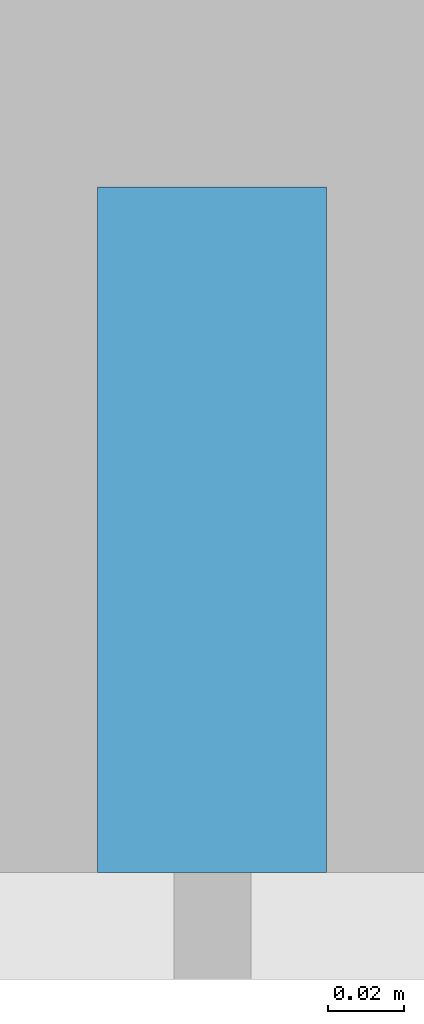
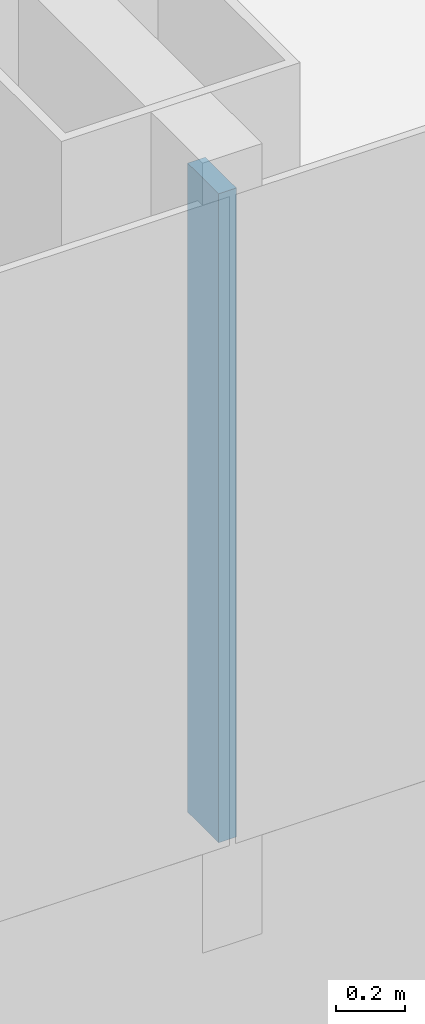
# One storey, part 6 of 29: 1 member, 1 element without a shape of its own.
"""IFC4 building model written with IfcOpenShell, lengths in metres."""

from ifc_helpers import new_model, si_unit, direction, frame, origin, origin_2d, place, context, subcontext, project, spatial, rectangle, extrude, material, layer, layer_set, material_profile, profile_set, type_object, element, aggregate, save


model = new_model("IFC4")

# Units and contexts
model_context = context("Model", 3, precision=1e-05, world=origin(), true_north=direction((0.0, 1.0)))
body_context = subcontext(model_context, "Body", "Model", "MODEL_VIEW")
ifc_project = project(units=[si_unit("LENGTHUNIT", "METRE"), si_unit("AREAUNIT", "SQUARE_METRE"), si_unit("VOLUMEUNIT", "CUBIC_METRE"), si_unit("PLANEANGLEUNIT", "RADIAN"), si_unit("MASSUNIT", "GRAM", prefix="KILO")], contexts=[model_context])

# Site, building, storey
site_placement = place(None, origin())
site = spatial("IfcSite", under=ifc_project, at=site_placement, CompositionType="ELEMENT")
building_placement = place(site_placement, origin())
building = spatial("IfcBuilding", under=site, at=building_placement, Name="Hakoniwa Tower and Hamabe Station Hall", CompositionType="ELEMENT")
storey_placement = place(building_placement, frame((0.0, 0.0, 97.800048828125)))
storey = spatial("IfcBuildingStorey", under=building, at=storey_placement, Name="L27", CompositionType="ELEMENT", Elevation=97.800048828125)

# Curtain wall, member
ifc_material_1 = material(Name="Dark low-e laminated glass", Category="glass")
ifc_layer = layer(ifc_material_1, 0.199951171875)
ifc_layer_set = layer_set([ifc_layer], Name="CW-1 UNITISED GUEST")
curtain_wall_type = type_object("IfcCurtainWallType", Name="CW-1 UNITISED GUEST", PredefinedType="NOTDEFINED", material=ifc_layer_set)
curtain_wall_placement = place(storey_placement, origin())
curtain_wall = element("IfcCurtainWall", 1, at=curtain_wall_placement, inside=storey, type_object=curtain_wall_type, Name="CW-1 curtain wall", PredefinedType="NOTDEFINED")
ifc_material_2 = material(Name="Aluminium 6063-T5 black anodised", Category="aluminium")
ifc_material_profile = material_profile(ifc_material_2, rectangle(XDim=0.06005859375, YDim=0.179931640625, at=origin_2d()), Name="CW-1 MULLION 60X180")
ifc_profile_set = profile_set([ifc_material_profile], Name="Aluminium 6063-T5 black anodised")
member_type = type_object("IfcMemberType", Name="CW-1 MULLION 60X180", PredefinedType="MULLION", material=ifc_profile_set)
member_placement = place(storey_placement, frame((8.39990234375, -15.431884765625, 0.349853515625), z_axis=(0.0, 0.0, 1.0), x_axis=(1.0, 0.0, 0.0)))
member = element("IfcMember", 2, at=member_placement, type_object=member_type, Name="CW-1 mullion", PredefinedType="MULLION", context=body_context, shape_type="SweptSolid", body=[
    extrude(rectangle(XDim=0.06005859375, YDim=0.179931640625, at=origin_2d()), origin(), (0.0, 0.0, 1.0), 2.300048828125),
])
aggregate(curtain_wall, [member])

save(model, "model.ifc")
